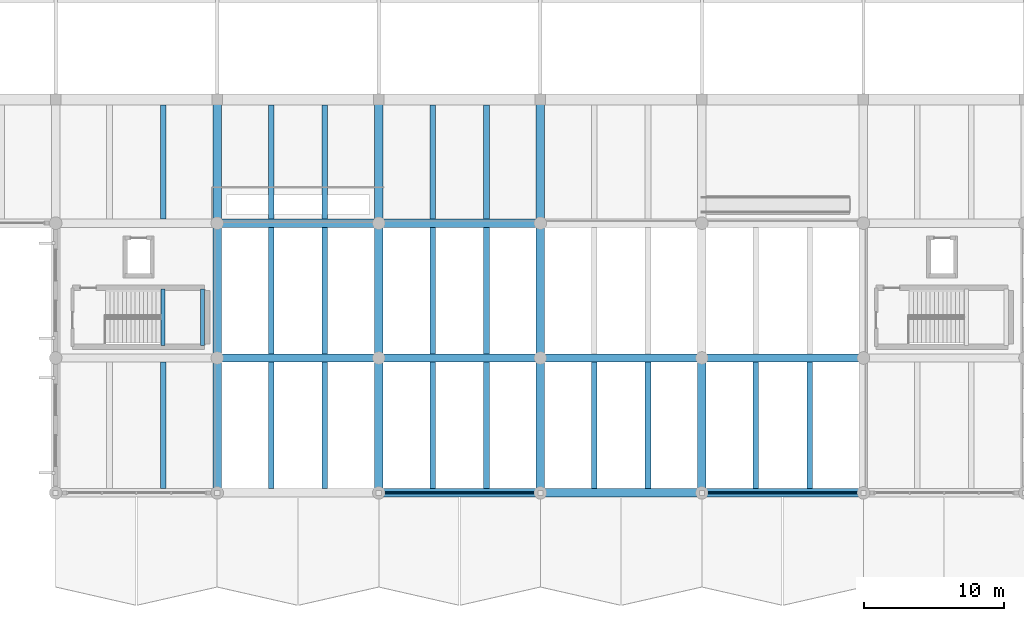
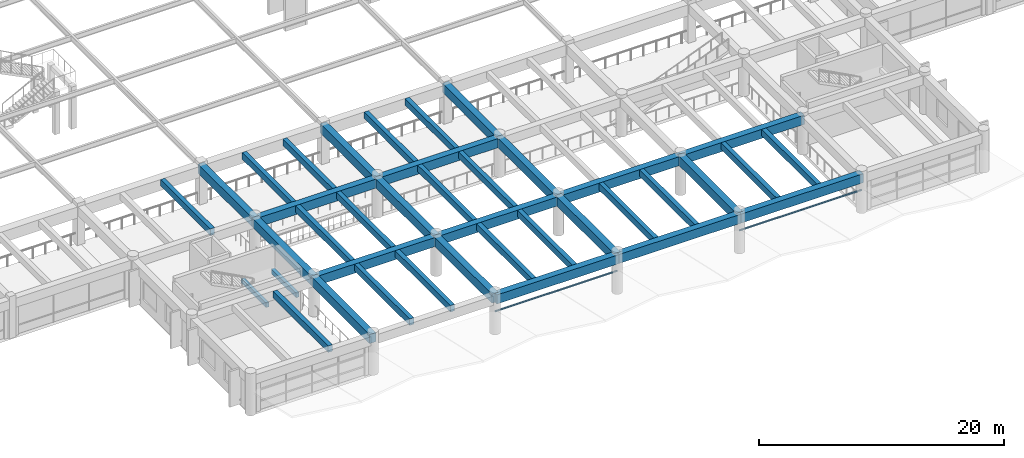
# One storey, part 17 of 98: 39 beams, 2 members.
"""IFC4 building model written with IfcOpenShell, lengths in metres."""

import ifcopenshell
import ifcopenshell.guid

model = None  # the IFC model being written
_history = None  # IfcOwnerHistory: only IFC2X3 demands one
_inside = {}  # id of a spatial element -> (the spatial element, [elements in it])
_under = {}  # id of a project, library or spatial element -> (it, [spatial elements below it])
_declared = {}  # id of a project -> (the project, [libraries it declares])
_typed = {}  # id of a type object -> (the type object, [elements of that type])
_made_of = {}  # id of a material, layer set ... -> (it, [elements and type objects made of it])


def new_model(schema):
    """Start an empty IFC model of exactly this schema.

    Asked for "IFC4X3", IfcOpenShell would pick the latest addendum, in which some entities
    have other attributes; the version numbers below select the first issue.
    IFC2X3 requires an IfcOwnerHistory on every rooted entity: one is made here for all.
    """
    global model, _history
    if schema == "IFC4X3":
        model = ifcopenshell.file(schema_version=(4, 3, 0, 0))
    else:
        model = ifcopenshell.file(schema=schema)
    _inside.clear()
    _under.clear()
    _declared.clear()
    _typed.clear()
    _made_of.clear()
    _history = None
    if model.schema == "IFC2X3":
        org = make("IfcOrganization", Name="unknown")
        user = make(
            "IfcPersonAndOrganization",
            ThePerson=make("IfcPerson", FamilyName="unknown"),
            TheOrganization=org,
        )
        app = make(
            "IfcApplication",
            ApplicationDeveloper=org,
            Version="unknown",
            ApplicationFullName="unknown",
            ApplicationIdentifier="unknown",
        )
        _history = make(
            "IfcOwnerHistory",
            OwningUser=user,
            OwningApplication=app,
            ChangeAction="ADDED",
            CreationDate=0,
        )
    return model


def make(cls, **values):
    """One entity of the class cls with the attributes given. An attribute that is None is left unset."""
    return model.create_entity(
        cls, **{name: value for name, value in values.items() if value is not None}
    )


def rooted(cls, **values):
    """An entity with a GlobalId (a new one), such as an element, a storey or a relation."""
    return make(cls, GlobalId=ifcopenshell.guid.new(), OwnerHistory=_history, **values)


def si_unit(unit_type, name, prefix=None):
    """IfcSIUnit, for example si_unit("LENGTHUNIT", "METRE", prefix="MILLI")."""
    return make("IfcSIUnit", UnitType=unit_type, Prefix=prefix, Name=name)


def assignment(units):
    """IfcUnitAssignment: the units of a project."""
    return None if units is None else make("IfcUnitAssignment", Units=units)


def point(xyz):
    """IfcCartesianPoint."""
    return None if xyz is None else make("IfcCartesianPoint", Coordinates=xyz)


def direction(xyz):
    """IfcDirection."""
    return None if xyz is None else make("IfcDirection", DirectionRatios=xyz)


def frame(location, z_axis=None, x_axis=None):
    """IfcAxis2Placement3D, a coordinate frame: its origin and axes. An axis left out is left unset."""
    return make(
        "IfcAxis2Placement3D",
        Location=point(location),
        Axis=direction(z_axis),
        RefDirection=direction(x_axis),
    )


def frame_2d(location, x_axis=None):
    """IfcAxis2Placement2D, a coordinate frame in the plane: its origin and x axis."""
    return make(
        "IfcAxis2Placement2D", Location=point(location), RefDirection=direction(x_axis)
    )


def origin():
    """The frame at (0, 0, 0) with its axes left unset."""
    return frame((0.0, 0.0, 0.0))


def origin_2d():
    """The frame at (0, 0) in the plane with its x axis left unset."""
    return frame_2d((0.0, 0.0))


def place(relative_to, where):
    """IfcLocalPlacement: puts the frame where relative to a parent placement (None: the world)."""
    return make(
        "IfcLocalPlacement", PlacementRelTo=relative_to, RelativePlacement=where
    )


def context(
    kind, dimensions, precision=None, world=None, true_north=None, identifier=None
):
    """IfcGeometricRepresentationContext, for example the 3D "Model" context."""
    return make(
        "IfcGeometricRepresentationContext",
        ContextIdentifier=identifier,
        ContextType=kind,
        CoordinateSpaceDimension=dimensions,
        Precision=precision,
        WorldCoordinateSystem=world,
        TrueNorth=true_north,
    )


def subcontext(parent, identifier, kind, view, scale=None):
    """IfcGeometricRepresentationSubContext, for example "Body" below "Model"."""
    return make(
        "IfcGeometricRepresentationSubContext",
        ContextIdentifier=identifier,
        ContextType=kind,
        ParentContext=parent,
        TargetScale=scale,
        TargetView=view,
    )


def project(units=None, contexts=None):
    """IfcProject with its units and contexts."""
    return rooted(
        "IfcProject",
        Name="project",
        RepresentationContexts=contexts,
        UnitsInContext=assignment(units),
    )


def spatial(cls, under=None, at=None, **own):
    """A site, building, storey or space (cls), placed at a placement, below another one or the project."""
    s = rooted(cls, ObjectPlacement=at, **own)
    if under is not None:
        _under.setdefault(under.id(), (under, []))[1].append(s)
    return s


def profile(cls, at=None, kind="AREA", **sizes):
    """A parametric profile (cls). Its sizes go by their IFC names, for example OverallWidth=200.0."""
    return make(cls, ProfileType=kind, Position=at, **sizes)


def rectangle(**sizes):
    """IfcRectangleProfileDef."""
    return profile("IfcRectangleProfileDef", **sizes)


def hollow_circle(**sizes):
    """IfcCircleHollowProfileDef."""
    return profile("IfcCircleHollowProfileDef", **sizes)


def extrude(swept, where, along, depth):
    """IfcExtrudedAreaSolid: the profile swept, set in the frame where, extruded along a direction by depth."""
    return make(
        "IfcExtrudedAreaSolid",
        SweptArea=swept,
        Position=where,
        ExtrudedDirection=direction(along),
        Depth=depth,
    )


def shape(context_of_items, identifier, shape_type, items):
    """IfcShapeRepresentation: the items that make up one representation, for example the "Body"."""
    return make(
        "IfcShapeRepresentation",
        ContextOfItems=context_of_items,
        RepresentationIdentifier=identifier,
        RepresentationType=shape_type,
        Items=items,
    )


def material(Name=None, Category=None):
    """IfcMaterial."""
    return make("IfcMaterial", Name=Name, Category=Category)


def material_profile(
    of_material, cross_section, Name=None, Category=None, Priority=None
):
    """IfcMaterialProfile: a cross section and its material."""
    return make(
        "IfcMaterialProfile",
        Name=Name,
        Material=of_material,
        Profile=cross_section,
        Priority=Priority,
        Category=Category,
    )


def profile_set(profiles, Name=None, composite=None):
    """IfcMaterialProfileSet."""
    return make(
        "IfcMaterialProfileSet",
        Name=Name,
        MaterialProfiles=profiles,
        CompositeProfile=composite,
    )


def made_of(thing, what):
    """Note that an element or type object is made of a material, layer set ...; save() writes the relation."""
    if what is not None:
        _made_of.setdefault(what.id(), (what, []))[1].append(thing)
    return thing


def type_object(cls, material=None, **own):
    """A type object (cls), such as IfcWallType, which elements share."""
    return made_of(rooted(cls, **own), material)


def element(
    cls,
    number,
    at=None,
    inside=None,
    cuts=None,
    type_object=None,
    material=None,
    context=None,
    identifier="Body",
    shape_type=None,
    held_by="IfcProductDefinitionShape",
    body=None,
    shapes=None,
    **own,
):
    """One element of the class cls, such as IfcWall. Its Tag is "e" and its number.

    at: its placement. inside: the storey or other place that contains it. cuts: it is an
    opening in that element (IfcRelVoidsElement). A single representation is given by context,
    identifier, shape_type and body (its items); several are given by shapes. held_by: the class
    of the entity that holds the representations. save() writes the other relations.
    """
    e = rooted(cls, Tag="e%d" % number, ObjectPlacement=at, **own)
    if body is not None:
        shapes = [shape(context, identifier, shape_type, body)]
    if shapes is not None:
        e.Representation = make(held_by, Representations=shapes)
    if inside is not None:
        _inside.setdefault(inside.id(), (inside, []))[1].append(e)
    if cuts is not None:
        rooted(
            "IfcRelVoidsElement", RelatingBuildingElement=cuts, RelatedOpeningElement=e
        )
    if type_object is not None:
        _typed.setdefault(type_object.id(), (type_object, []))[1].append(e)
    return made_of(e, material)


def aggregate(whole, parts):
    """IfcRelAggregates: a whole, such as a stair, and the parts it consists of."""
    return rooted("IfcRelAggregates", RelatingObject=whole, RelatedObjects=parts)


def save(model, path):
    """Write the relations noted so far, then the file.

    IfcRelAggregates (storeys below a building ...), IfcRelContainedInSpatialStructure (elements
    in a storey), IfcRelDefinesByType, IfcRelAssociatesMaterial and IfcRelDeclares: one each for
    every whole, place, type object, material and project.
    """
    for whole, parts in _under.values():
        aggregate(whole, parts)
    for where, things in _inside.values():
        rooted(
            "IfcRelContainedInSpatialStructure",
            RelatedElements=things,
            RelatingStructure=where,
        )
    for kind, things in _typed.values():
        rooted("IfcRelDefinesByType", RelatedObjects=things, RelatingType=kind)
    for what, things in _made_of.values():
        rooted("IfcRelAssociatesMaterial", RelatedObjects=things, RelatingMaterial=what)
    for by, libraries in _declared.values():
        rooted("IfcRelDeclares", RelatingContext=by, RelatedDefinitions=libraries)
    model.write(path)


model = new_model("IFC4")

# Units and contexts
model_context = context("Model", 3, precision=1e-05, world=origin(), true_north=direction((0.0, 1.0)))
body_context = subcontext(model_context, "Body", "Model", "MODEL_VIEW")
ifc_project = project(units=[si_unit("LENGTHUNIT", "METRE"), si_unit("AREAUNIT", "SQUARE_METRE"), si_unit("VOLUMEUNIT", "CUBIC_METRE"), si_unit("PLANEANGLEUNIT", "RADIAN"), si_unit("MASSUNIT", "GRAM", prefix="KILO")], contexts=[model_context])

# Site, building, storey
site_placement = place(None, origin())
site = spatial("IfcSite", under=ifc_project, at=site_placement, CompositionType="ELEMENT")
building_placement = place(site_placement, origin())
building = spatial("IfcBuilding", under=site, at=building_placement, Name="Ologun Quay Terminus", CompositionType="ELEMENT")
storey_placement = place(building_placement, frame((0.0, 0.0, 4.199951171875)))
storey = spatial("IfcBuildingStorey", under=building, at=storey_placement, Name="L01", CompositionType="ELEMENT", Elevation=4.199951171875)

# Members
ifc_material_1 = material(Name="Steel S355", Category="steel")
ifc_material_profile_1 = material_profile(ifc_material_1, hollow_circle(Radius=0.084228515625, WallThickness=0.00634765625, at=origin_2d()), Name="CHS 168.3x6.3")
ifc_profile_set_1 = profile_set([ifc_material_profile_1], Name="Steel S355")
member_type = type_object("IfcMemberType", Name="Canopy Tie Strut CHS168", PredefinedType="STRUT", material=ifc_profile_set_1)
for number, where, z_axis, x_axis, name in (
    (1, (80.5, 8.0, 2.050048828125), (1.0, 0.0, 0.0), (0.0, 1.0, 0.0), "WB4 Canopy Tie S-8"),
    (2, (103.5, 8.0, 2.050048828125), (1.0, 0.0, 0.0), (0.0, 1.0, 0.0), "WB4 Canopy Tie S-10"),
):
    element("IfcMember", number, at=place(storey_placement, frame(where, z_axis=z_axis, x_axis=x_axis)), inside=storey, type_object=member_type, Name=name, PredefinedType="STRUT", context=body_context, shape_type="SweptSolid", body=[
        extrude(hollow_circle(Radius=0.084228515625, WallThickness=0.00634765625, at=origin_2d()), origin(), (0.0, 0.0, 1.0), 11.5),
    ])

# Beams
ifc_material_2 = material(Name="Concrete C40/50", Category="concrete")
ifc_material_profile_2 = material_profile(ifc_material_2, rectangle(XDim=0.300048828125, YDim=0.449951171875, at=origin_2d()), Name="RC 300x450")
ifc_profile_set_2 = profile_set([ifc_material_profile_2], Name="Concrete C40/50")
beam_type_1 = type_object("IfcBeamType", Name="Core Coupling Lintel Beam 300x450", PredefinedType="LINTEL", material=ifc_profile_set_2)
for number, where, z_axis, x_axis, name in (
    (3, (65.139892578125, 18.47998046875, 1.695068359375), (0.0, 1.0, 0.0), (-1.0, 0.0, 0.0), "LN1 Half-Landing Ledger Beam ST-S3-W L01"),
    (4, (67.9599609375, 18.47998046875, 1.695068359375), (0.0, 1.0, 0.0), (-1.0, 0.0, 0.0), "LN1 Half-Landing Ledger Beam ST-S3-E L01"),
):
    element("IfcBeam", number, at=place(storey_placement, frame(where, z_axis=z_axis, x_axis=x_axis)), inside=storey, type_object=beam_type_1, Name=name, PredefinedType="LINTEL", context=body_context, shape_type="SweptSolid", body=[
        extrude(rectangle(XDim=0.300048828125, YDim=0.449951171875, at=origin_2d()), origin(), (0.0, 0.0, 1.0), 4.0400390625),
    ])
ifc_material_3 = material(Name="Concrete C40/50", Category="concrete")
ifc_material_profile_3 = material_profile(ifc_material_3, rectangle(XDim=0.60009765625, YDim=0.89990234375, at=origin_2d()), Name="RC 600x900")
ifc_profile_set_3 = profile_set([ifc_material_profile_3], Name="Concrete C40/50")
beam_type_2 = type_object("IfcBeamType", Name="Station Frame Girder 600x900", PredefinedType="BEAM", material=ifc_profile_set_3)
for number, where, z_axis, x_axis, name in (
    (5, (80.5, 8.0, 3.400146484375), (1.0, 0.0, 0.0), (0.0, 1.0, 0.0), "B3 Beam 8/B L01"),
    (6, (92.0, 8.0, 3.400146484375), (1.0, 0.0, 0.0), (0.0, 1.0, 0.0), "B3 Beam 9/B L01"),
    (7, (103.5, 8.0, 3.400146484375), (1.0, 0.0, 0.0), (0.0, 1.0, 0.0), "B3 Beam 10/B L01"),
    (8, (69.0, 17.60009765625, 3.400146484375), (1.0, 0.0, 0.0), (0.0, 1.0, 0.0), "B3 Beam 7/C L01"),
    (9, (80.5, 17.60009765625, 3.400146484375), (1.0, 0.0, 0.0), (0.0, 1.0, 0.0), "B3 Beam 8/C L01"),
    (10, (92.0, 17.60009765625, 3.400146484375), (1.0, 0.0, 0.0), (0.0, 1.0, 0.0), "B3 Beam 9/C L01"),
    (11, (103.5, 17.60009765625, 3.400146484375), (1.0, 0.0, 0.0), (0.0, 1.0, 0.0), "B3 Beam 10/C L01"),
    (12, (69.0, 27.199951171875, 3.400146484375), (1.0, 0.0, 0.0), (0.0, 1.0, 0.0), "B3 Beam 7/D L01"),
    (13, (80.5, 27.199951171875, 3.400146484375), (1.0, 0.0, 0.0), (0.0, 1.0, 0.0), "B3 Beam 8/D L01"),
):
    element("IfcBeam", number, at=place(storey_placement, frame(where, z_axis=z_axis, x_axis=x_axis)), inside=storey, type_object=beam_type_2, Name=name, PredefinedType="BEAM", context=body_context, shape_type="SweptSolid", body=[
        extrude(rectangle(XDim=0.60009765625, YDim=0.89990234375, at=origin_2d()), origin(), (0.0, 0.0, 1.0), 11.5),
    ])
beam_1_placement = place(storey_placement, frame((69.0, 8.0, 3.400146484375), z_axis=(0.0, 1.0, 0.0), x_axis=(-1.0, 0.0, 0.0)))
element("IfcBeam", 14, at=beam_1_placement, inside=storey, type_object=beam_type_2, Name="B3 Beam 7/B L01", PredefinedType="BEAM", context=body_context, shape_type="SweptSolid", body=[
    extrude(rectangle(XDim=0.60009765625, YDim=0.89990234375, at=origin_2d()), origin(), (0.0, 0.0, 1.0), 9.60009765625),
])
beam_2_placement = place(storey_placement, frame((69.0, 17.60009765625, 3.400146484375), z_axis=(0.0, 1.0, 0.0), x_axis=(-1.0, 0.0, 0.0)))
element("IfcBeam", 15, at=beam_2_placement, inside=storey, type_object=beam_type_2, Name="B3 Beam 7/C L01", PredefinedType="BEAM", context=body_context, shape_type="SweptSolid", body=[
    extrude(rectangle(XDim=0.60009765625, YDim=0.89990234375, at=origin_2d()), origin(), (0.0, 0.0, 1.0), 9.599853515625),
])
beam_3_placement = place(storey_placement, frame((69.0, 27.199951171875, 3.400146484375), z_axis=(0.0, 1.0, 0.0), x_axis=(-1.0, 0.0, 0.0)))
element("IfcBeam", 16, at=beam_3_placement, inside=storey, type_object=beam_type_2, Name="B3 Beam 7/D L01", PredefinedType="BEAM", context=body_context, shape_type="SweptSolid", body=[
    extrude(rectangle(XDim=0.60009765625, YDim=0.89990234375, at=origin_2d()), origin(), (0.0, 0.0, 1.0), 8.800048828125),
])
beam_4_placement = place(storey_placement, frame((80.5, 8.0, 3.400146484375), z_axis=(0.0, 1.0, 0.0), x_axis=(-1.0, 0.0, 0.0)))
element("IfcBeam", 17, at=beam_4_placement, inside=storey, type_object=beam_type_2, Name="B3 Beam 8/B L01", PredefinedType="BEAM", context=body_context, shape_type="SweptSolid", body=[
    extrude(rectangle(XDim=0.60009765625, YDim=0.89990234375, at=origin_2d()), origin(), (0.0, 0.0, 1.0), 9.60009765625),
])
beam_5_placement = place(storey_placement, frame((80.5, 17.60009765625, 3.400146484375), z_axis=(0.0, 1.0, 0.0), x_axis=(-1.0, 0.0, 0.0)))
element("IfcBeam", 18, at=beam_5_placement, inside=storey, type_object=beam_type_2, Name="B3 Beam 8/C L01", PredefinedType="BEAM", context=body_context, shape_type="SweptSolid", body=[
    extrude(rectangle(XDim=0.60009765625, YDim=0.89990234375, at=origin_2d()), origin(), (0.0, 0.0, 1.0), 9.599853515625),
])
beam_6_placement = place(storey_placement, frame((80.5, 27.199951171875, 3.400146484375), z_axis=(0.0, 1.0, 0.0), x_axis=(-1.0, 0.0, 0.0)))
element("IfcBeam", 19, at=beam_6_placement, inside=storey, type_object=beam_type_2, Name="B3 Beam 8/D L01", PredefinedType="BEAM", context=body_context, shape_type="SweptSolid", body=[
    extrude(rectangle(XDim=0.60009765625, YDim=0.89990234375, at=origin_2d()), origin(), (0.0, 0.0, 1.0), 8.800048828125),
])
beam_7_placement = place(storey_placement, frame((92.0, 8.0, 3.400146484375), z_axis=(0.0, 1.0, 0.0), x_axis=(-1.0, 0.0, 0.0)))
element("IfcBeam", 20, at=beam_7_placement, inside=storey, type_object=beam_type_2, Name="B3 Beam 9/B L01", PredefinedType="BEAM", context=body_context, shape_type="SweptSolid", body=[
    extrude(rectangle(XDim=0.60009765625, YDim=0.89990234375, at=origin_2d()), origin(), (0.0, 0.0, 1.0), 9.60009765625),
])
beam_8_placement = place(storey_placement, frame((92.0, 17.60009765625, 3.400146484375), z_axis=(0.0, 1.0, 0.0), x_axis=(-1.0, 0.0, 0.0)))
element("IfcBeam", 21, at=beam_8_placement, inside=storey, type_object=beam_type_2, Name="B3 Beam 9/C L01", PredefinedType="BEAM", context=body_context, shape_type="SweptSolid", body=[
    extrude(rectangle(XDim=0.60009765625, YDim=0.89990234375, at=origin_2d()), origin(), (0.0, 0.0, 1.0), 9.599853515625),
])
beam_9_placement = place(storey_placement, frame((92.0, 27.199951171875, 3.400146484375), z_axis=(0.0, 1.0, 0.0), x_axis=(-1.0, 0.0, 0.0)))
element("IfcBeam", 22, at=beam_9_placement, inside=storey, type_object=beam_type_2, Name="B3 Beam 9/D L01", PredefinedType="BEAM", context=body_context, shape_type="SweptSolid", body=[
    extrude(rectangle(XDim=0.60009765625, YDim=0.89990234375, at=origin_2d()), origin(), (0.0, 0.0, 1.0), 8.800048828125),
])
beam_10_placement = place(storey_placement, frame((103.5, 8.0, 3.400146484375), z_axis=(0.0, 1.0, 0.0), x_axis=(-1.0, 0.0, 0.0)))
element("IfcBeam", 23, at=beam_10_placement, inside=storey, type_object=beam_type_2, Name="B3 Beam 10/B L01", PredefinedType="BEAM", context=body_context, shape_type="SweptSolid", body=[
    extrude(rectangle(XDim=0.60009765625, YDim=0.89990234375, at=origin_2d()), origin(), (0.0, 0.0, 1.0), 9.60009765625),
])
ifc_material_4 = material(Name="Concrete C40/50", Category="concrete")
ifc_material_profile_4 = material_profile(ifc_material_4, rectangle(XDim=0.39990234375, YDim=0.64990234375, at=origin_2d()), Name="RC 400x650")
ifc_profile_set_4 = profile_set([ifc_material_profile_4], Name="Concrete C40/50")
beam_type_3 = type_object("IfcBeamType", Name="Station Secondary Joist 400x650", PredefinedType="JOIST", material=ifc_profile_set_4)
beam_11_placement = place(storey_placement, frame((65.166748046875, 8.300048828125, 3.525146484375), z_axis=(0.0, 1.0, 0.0), x_axis=(-1.0, 0.0, 0.0)))
element("IfcBeam", 24, at=beam_11_placement, inside=storey, type_object=beam_type_3, Name="J1 Beam 6/B L01", PredefinedType="JOIST", context=body_context, shape_type="SweptSolid", body=[
    extrude(rectangle(XDim=0.39990234375, YDim=0.64990234375, at=origin_2d()), origin(), (0.0, 0.0, 1.0), 9.0),
])
beam_12_placement = place(storey_placement, frame((65.166748046875, 27.5, 3.525146484375), z_axis=(0.0, 1.0, 0.0), x_axis=(-1.0, 0.0, 0.0)))
element("IfcBeam", 25, at=beam_12_placement, inside=storey, type_object=beam_type_3, Name="J1 Beam 6/D L01", PredefinedType="JOIST", context=body_context, shape_type="SweptSolid", body=[
    extrude(rectangle(XDim=0.39990234375, YDim=0.64990234375, at=origin_2d()), origin(), (0.0, 0.0, 1.0), 8.125),
])
for number, where, z_axis, x_axis, name in (
    (26, (72.833251953125, 8.300048828125, 3.525146484375), (0.0, 1.0, 0.0), (-1.0, 0.0, 0.0), "J1 Beam 7/B L01"),
    (27, (76.666748046875, 8.300048828125, 3.525146484375), (0.0, 1.0, 0.0), (-1.0, 0.0, 0.0), "J1 Beam 7/B L01"),
    (28, (72.833251953125, 17.89990234375, 3.525146484375), (0.0, 1.0, 0.0), (-1.0, 0.0, 0.0), "J1 Beam 7/C L01"),
    (29, (76.666748046875, 17.89990234375, 3.525146484375), (0.0, 1.0, 0.0), (-1.0, 0.0, 0.0), "J1 Beam 7/C L01"),
):
    element("IfcBeam", number, at=place(storey_placement, frame(where, z_axis=z_axis, x_axis=x_axis)), inside=storey, type_object=beam_type_3, Name=name, PredefinedType="JOIST", context=body_context, shape_type="SweptSolid", body=[
        extrude(rectangle(XDim=0.39990234375, YDim=0.64990234375, at=origin_2d()), origin(), (0.0, 0.0, 1.0), 9.0),
    ])
for number, where, z_axis, x_axis, name in (
    (30, (72.833251953125, 27.5, 3.525146484375), (0.0, 1.0, 0.0), (-1.0, 0.0, 0.0), "J1 Beam 7/D L01"),
    (31, (76.666748046875, 27.5, 3.525146484375), (0.0, 1.0, 0.0), (-1.0, 0.0, 0.0), "J1 Beam 7/D L01"),
):
    element("IfcBeam", number, at=place(storey_placement, frame(where, z_axis=z_axis, x_axis=x_axis)), inside=storey, type_object=beam_type_3, Name=name, PredefinedType="JOIST", context=body_context, shape_type="SweptSolid", body=[
        extrude(rectangle(XDim=0.39990234375, YDim=0.64990234375, at=origin_2d()), origin(), (0.0, 0.0, 1.0), 8.125),
    ])
for number, where, z_axis, x_axis, name in (
    (32, (84.333251953125, 8.300048828125, 3.525146484375), (0.0, 1.0, 0.0), (-1.0, 0.0, 0.0), "J1 Beam 8/B L01"),
    (33, (88.166748046875, 8.300048828125, 3.525146484375), (0.0, 1.0, 0.0), (-1.0, 0.0, 0.0), "J1 Beam 8/B L01"),
    (34, (84.333251953125, 17.89990234375, 3.525146484375), (0.0, 1.0, 0.0), (-1.0, 0.0, 0.0), "J1 Beam 8/C L01"),
    (35, (88.166748046875, 17.89990234375, 3.525146484375), (0.0, 1.0, 0.0), (-1.0, 0.0, 0.0), "J1 Beam 8/C L01"),
):
    element("IfcBeam", number, at=place(storey_placement, frame(where, z_axis=z_axis, x_axis=x_axis)), inside=storey, type_object=beam_type_3, Name=name, PredefinedType="JOIST", context=body_context, shape_type="SweptSolid", body=[
        extrude(rectangle(XDim=0.39990234375, YDim=0.64990234375, at=origin_2d()), origin(), (0.0, 0.0, 1.0), 9.0),
    ])
for number, where, z_axis, x_axis, name in (
    (36, (84.333251953125, 27.5, 3.525146484375), (0.0, 1.0, 0.0), (-1.0, 0.0, 0.0), "J1 Beam 8/D L01"),
    (37, (88.166748046875, 27.5, 3.525146484375), (0.0, 1.0, 0.0), (-1.0, 0.0, 0.0), "J1 Beam 8/D L01"),
):
    element("IfcBeam", number, at=place(storey_placement, frame(where, z_axis=z_axis, x_axis=x_axis)), inside=storey, type_object=beam_type_3, Name=name, PredefinedType="JOIST", context=body_context, shape_type="SweptSolid", body=[
        extrude(rectangle(XDim=0.39990234375, YDim=0.64990234375, at=origin_2d()), origin(), (0.0, 0.0, 1.0), 8.125),
    ])
for number, where, z_axis, x_axis, name in (
    (38, (95.833251953125, 8.300048828125, 3.525146484375), (0.0, 1.0, 0.0), (-1.0, 0.0, 0.0), "J1 Beam 9/B L01"),
    (39, (99.666748046875, 8.300048828125, 3.525146484375), (0.0, 1.0, 0.0), (-1.0, 0.0, 0.0), "J1 Beam 9/B L01"),
    (40, (107.333251953125, 8.300048828125, 3.525146484375), (0.0, 1.0, 0.0), (-1.0, 0.0, 0.0), "J1 Beam 10/B L01"),
    (41, (111.166748046875, 8.300048828125, 3.525146484375), (0.0, 1.0, 0.0), (-1.0, 0.0, 0.0), "J1 Beam 10/B L01"),
):
    element("IfcBeam", number, at=place(storey_placement, frame(where, z_axis=z_axis, x_axis=x_axis)), inside=storey, type_object=beam_type_3, Name=name, PredefinedType="JOIST", context=body_context, shape_type="SweptSolid", body=[
        extrude(rectangle(XDim=0.39990234375, YDim=0.64990234375, at=origin_2d()), origin(), (0.0, 0.0, 1.0), 9.0),
    ])

save(model, "model.ifc")
